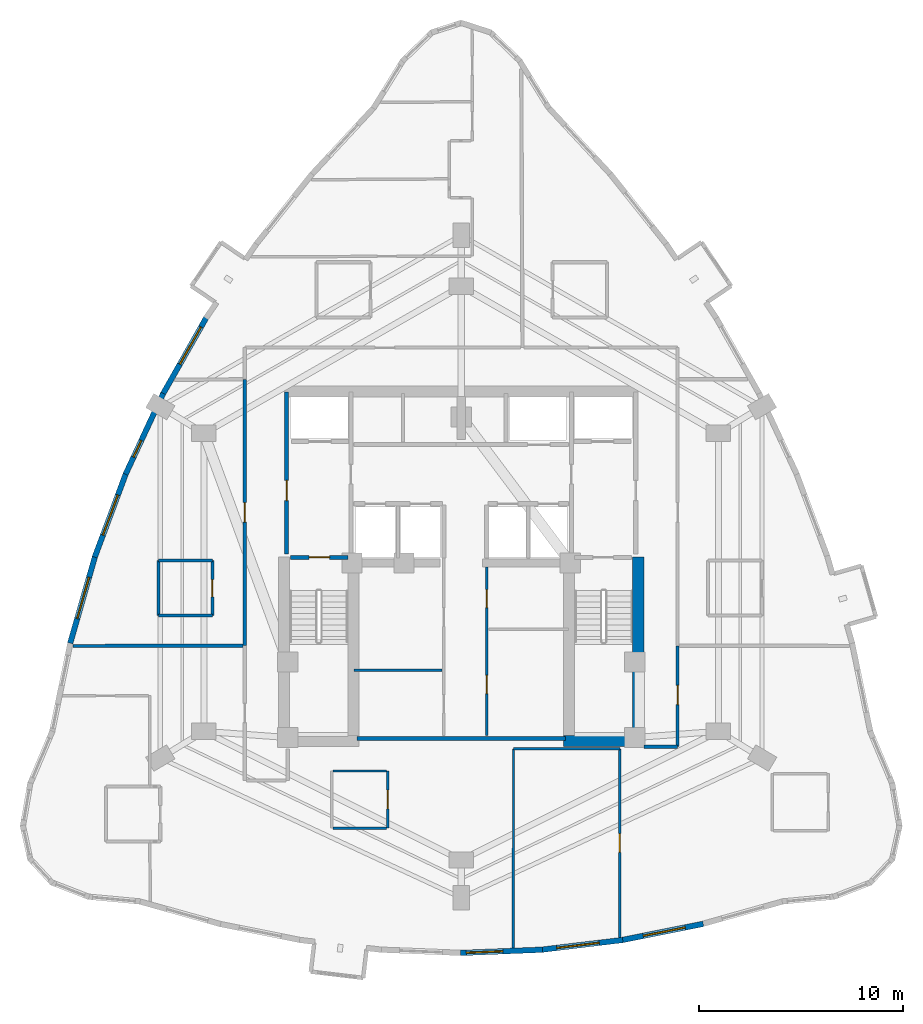
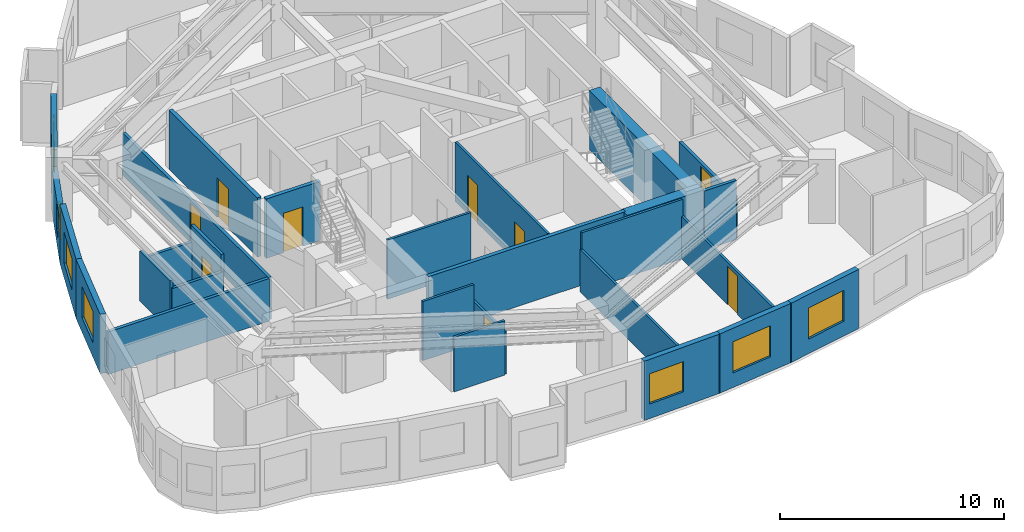
# One storey, part 6 of 11: 28 walls, 9 doors, 7 windows, 16 openings.
"""IFC4 building model written with IfcOpenShell, lengths in metres."""

from ifc_helpers import new_model, si_unit, direction, frame, frame_2d, origin, place, context, subcontext, project, spatial, rectangle, extrude, material, layer, layer_set, type_object, element, fill, save


model = new_model("IFC4")

# Units and contexts
model_context = context("Model", 3, precision=1e-05, world=origin(), true_north=direction((0.0, 1.0)))
body_context = subcontext(model_context, "Body", "Model", "MODEL_VIEW")
ifc_project = project(units=[si_unit("LENGTHUNIT", "METRE"), si_unit("AREAUNIT", "SQUARE_METRE"), si_unit("VOLUMEUNIT", "CUBIC_METRE"), si_unit("PLANEANGLEUNIT", "RADIAN"), si_unit("MASSUNIT", "GRAM", prefix="KILO")], contexts=[model_context])

# Site, building, storey
site_placement = place(None, origin())
site = spatial("IfcSite", under=ifc_project, at=site_placement, CompositionType="ELEMENT")
building_placement = place(site_placement, origin())
building = spatial("IfcBuilding", under=site, at=building_placement, Name="Miruveldt Soraemaru", CompositionType="ELEMENT")
storey_placement = place(building_placement, frame((0.0, 0.0, 149.39990234375)))
storey = spatial("IfcBuildingStorey", under=building, at=storey_placement, Name="L41", CompositionType="ELEMENT", Elevation=149.39990234375)

# Walls
ifc_material_1 = material(Name="Concrete C70/85 (70 MPa)", Category="concrete")
ifc_layer_1 = layer(ifc_material_1, 0.550048828125, Name="Concrete C70/85 (70 MPa)", Category="concrete")
ifc_layer_set_1 = layer_set([ifc_layer_1], Name="Concrete C70/85 (70 MPa)")
wall_type_1 = type_object("IfcWallType", Name="WALL-CW-550", PredefinedType="SHEAR", material=ifc_layer_set_1)
wall_1_placement = place(storey_placement, frame((49.0, 35.324951171875, 0.0), z_axis=(0.0, 0.0, 1.0), x_axis=(1.0, 0.0, 0.0)))
element("IfcWall", 1, at=wall_1_placement, inside=storey, type_object=wall_type_1, Name="L41 Central Core Shear Wall S2", PredefinedType="SHEAR", context=body_context, shape_type="SweptSolid", body=[
    extrude(rectangle(XDim=3.949951171875, YDim=0.550048828125, at=frame_2d((1.97509765625, 0.0))), origin(), (0.0, 0.0, 1.0), 3.235107421875),
])
wall_2_placement = place(storey_placement, frame((52.675048828125, 35.050048828125, 0.0), z_axis=(0.0, 0.0, 1.0), x_axis=(0.0, 1.0, 0.0)))
element("IfcWall", 2, at=wall_2_placement, inside=storey, type_object=wall_type_1, Name="L41 Central Core Shear Wall E1", PredefinedType="SHEAR", context=body_context, shape_type="SweptSolid", body=[
    extrude(rectangle(XDim=9.300048828125, YDim=0.550048828125, at=frame_2d((4.64990234375, 0.0))), origin(), (0.0, 0.0, 1.0), 3.235107421875),
])

# Wall, opening, window
ifc_material_2 = material(Name="Precast concrete C45/55 (45 MPa)", Category="concrete")
ifc_layer_2 = layer(ifc_material_2, 0.27001953125, Name="Precast concrete C45/55 (45 MPa)", Category="concrete")
ifc_layer_set_2 = layer_set([ifc_layer_2], Name="Precast concrete C45/55 (45 MPa)")
wall_type_2 = type_object("IfcWallType", Name="WALL-EXT-PC270", PredefinedType="SOLIDWALL", material=ifc_layer_set_2)
wall_3_placement = place(storey_placement, frame((31.53076171875, 56.09912109375, 0.0), z_axis=(0.0, 0.0, 1.0), x_axis=(-0.493412614859, -0.869795373348, 0.0)))
wall_3 = element("IfcWall", 3, at=wall_3_placement, inside=storey, type_object=wall_type_2, Name="L41 Precast Concrete Facade Wall 10", PredefinedType="SOLIDWALL", context=body_context, shape_type="SweptSolid", body=[
    extrude(rectangle(XDim=4.37255859375, YDim=0.27001953125, at=frame_2d((2.186279296875, 0.0))), origin(), (0.0, 0.0, 1.0), 3.235107421875),
])
opening_1_placement = place(wall_3_placement, frame((0.55908203125, 0.0, 0.800048828125)))
opening_1 = element("IfcOpeningElement", 4, at=opening_1_placement, cuts=wall_3, Name="Opening WN-1", PredefinedType="OPENING", context=body_context, shape_type="SweptSolid", body=[
    extrude(rectangle(XDim=2.10009765625, YDim=1.699951171875, at=frame_2d((1.050048828125, 0.85009765625))), frame((0.0, 0.14501953125, 0.0), z_axis=(0.0, -1.0, 0.0), x_axis=(1.0, 0.0, 0.0)), (0.0, 0.0, 1.0), 0.2900390625),
])
ifc_material_3 = material(Name="Triple low-e insulated glazing", Category="glass")
window_type_1 = type_object("IfcWindowType", Name="WIN-PUNCH-2100x1700", PartitioningType="SINGLE_PANEL", PredefinedType="WINDOW", material=ifc_material_3)
window_1_placement = place(opening_1_placement, origin())
window_1 = element("IfcWindow", 5, at=window_1_placement, inside=storey, type_object=window_type_1, Name="L41 Punched Triple-Glazed Window 10.1", OverallHeight=1.699951171875, OverallWidth=2.10009765625, PartitioningType="SINGLE_PANEL", PredefinedType="WINDOW", context=body_context, shape_type="SweptSolid", body=[
    extrude(rectangle(XDim=2.10009765625, YDim=1.699951171875, at=frame_2d((1.050048828125, 0.85009765625))), frame((0.0, 0.030029296875, 0.0), z_axis=(0.0, -1.0, 0.0), x_axis=(1.0, 0.0, 0.0)), (0.0, 0.0, 1.0), 0.06005859375),
])
fill(opening_1, window_1)

wall_4_placement = place(storey_placement, frame((29.405517578125, 52.35791015625, 0.0), z_axis=(0.0, 0.0, 1.0), x_axis=(-0.422319922238, -0.906446845259, 0.0)))
wall_4 = element("IfcWall", 6, at=wall_4_placement, inside=storey, type_object=wall_type_2, Name="L41 Precast Concrete Facade Wall 11", PredefinedType="SOLIDWALL", context=body_context, shape_type="SweptSolid", body=[
    extrude(rectangle(XDim=4.372802734375, YDim=0.27001953125, at=frame_2d((2.1865234375, 0.0))), origin(), (0.0, 0.0, 1.0), 2.322998046875),
])
opening_2_placement = place(wall_4_placement, frame((2.548095703125, 0.0, 0.6630859375)))
opening_2 = element("IfcOpeningElement", 7, at=opening_2_placement, cuts=wall_4, Name="Opening WN-7", PredefinedType="OPENING", context=body_context, shape_type="SweptSolid", body=[
    extrude(rectangle(XDim=0.89990234375, YDim=1.5, at=frame_2d((0.449951171875, 0.75))), frame((0.0, 0.14501953125, 0.0), z_axis=(0.0, -1.0, 0.0), x_axis=(1.0, 0.0, 0.0)), (0.0, 0.0, 1.0), 0.2900390625),
])
window_type_2 = type_object("IfcWindowType", Name="WIN-PUNCH-900x1500", PartitioningType="SINGLE_PANEL", PredefinedType="WINDOW", material=ifc_material_3)
window_2_placement = place(opening_2_placement, origin())
window_2 = element("IfcWindow", 8, at=window_2_placement, inside=storey, type_object=window_type_2, Name="L41 Punched Triple-Glazed Window 11.1", OverallHeight=1.5, OverallWidth=0.89990234375, PartitioningType="SINGLE_PANEL", PredefinedType="WINDOW", context=body_context, shape_type="SweptSolid", body=[
    extrude(rectangle(XDim=0.89990234375, YDim=1.5, at=frame_2d((0.449951171875, 0.75))), frame((0.0, 0.030029296875, 0.0), z_axis=(0.0, -1.0, 0.0), x_axis=(1.0, 0.0, 0.0)), (0.0, 0.0, 1.0), 0.06005859375),
])
fill(opening_2, window_2)

wall_5_placement = place(storey_placement, frame((27.585693359375, 48.458740234375, 0.0), z_axis=(0.0, 0.0, 1.0), x_axis=(-0.348994381094, -0.937124816641, 0.0)))
wall_5 = element("IfcWall", 9, at=wall_5_placement, inside=storey, type_object=wall_type_2, Name="L41 Precast Concrete Facade Wall 12", PredefinedType="SOLIDWALL", context=body_context, shape_type="SweptSolid", body=[
    extrude(rectangle(XDim=4.400146484375, YDim=0.27001953125, at=frame_2d((2.2001953125, 0.0))), origin(), (0.0, 0.0, 1.0), 3.235107421875),
])
opening_3_placement = place(wall_5_placement, frame((1.14990234375, 0.0, 0.800048828125)))
opening_3 = element("IfcOpeningElement", 10, at=opening_3_placement, cuts=wall_5, Name="Opening WN-1", PredefinedType="OPENING", context=body_context, shape_type="SweptSolid", body=[
    extrude(rectangle(XDim=2.10009765625, YDim=1.699951171875, at=frame_2d((1.050048828125, 0.85009765625))), frame((0.0, 0.14501953125, 0.0), z_axis=(0.0, -1.0, 0.0), x_axis=(1.0, 0.0, 0.0)), (0.0, 0.0, 1.0), 0.2900390625),
])
window_3_placement = place(opening_3_placement, origin())
window_3 = element("IfcWindow", 11, at=window_3_placement, inside=storey, type_object=window_type_1, Name="L41 Punched Triple-Glazed Window 12.1", OverallHeight=1.699951171875, OverallWidth=2.10009765625, PartitioningType="SINGLE_PANEL", PredefinedType="WINDOW", context=body_context, shape_type="SweptSolid", body=[
    extrude(rectangle(XDim=2.10009765625, YDim=1.699951171875, at=frame_2d((1.050048828125, 0.85009765625))), frame((0.0, 0.030029296875, 0.0), z_axis=(0.0, -1.0, 0.0), x_axis=(1.0, 0.0, 0.0)), (0.0, 0.0, 1.0), 0.06005859375),
])
fill(opening_3, window_3)

wall_6_placement = place(storey_placement, frame((26.07177734375, 44.40185546875, 0.0), z_axis=(0.0, 0.0, 1.0), x_axis=(-0.274959989366, -0.961455669414, 0.0)))
wall_6 = element("IfcWall", 12, at=wall_6_placement, inside=storey, type_object=wall_type_2, Name="L41 Precast Concrete Facade Wall 13", PredefinedType="SOLIDWALL", context=body_context, shape_type="SweptSolid", body=[
    extrude(rectangle(XDim=4.45458984375, YDim=0.27001953125, at=frame_2d((2.227294921875, 0.0))), origin(), (0.0, 0.0, 1.0), 3.235107421875),
])
opening_4_placement = place(wall_6_placement, frame((1.10302734375, 0.0, 0.800048828125)))
opening_4 = element("IfcOpeningElement", 13, at=opening_4_placement, cuts=wall_6, Name="Opening WN-1", PredefinedType="OPENING", context=body_context, shape_type="SweptSolid", body=[
    extrude(rectangle(XDim=2.10009765625, YDim=1.699951171875, at=frame_2d((1.050048828125, 0.85009765625))), frame((0.0, 0.14501953125, 0.0), z_axis=(0.0, -1.0, 0.0), x_axis=(1.0, 0.0, 0.0)), (0.0, 0.0, 1.0), 0.2900390625),
])
window_4_placement = place(opening_4_placement, origin())
window_4 = element("IfcWindow", 14, at=window_4_placement, inside=storey, type_object=window_type_1, Name="L41 Punched Triple-Glazed Window 13.1", OverallHeight=1.699951171875, OverallWidth=2.10009765625, PartitioningType="SINGLE_PANEL", PredefinedType="WINDOW", context=body_context, shape_type="SweptSolid", body=[
    extrude(rectangle(XDim=2.10009765625, YDim=1.699951171875, at=frame_2d((1.050048828125, 0.85009765625))), frame((0.0, 0.030029296875, 0.0), z_axis=(0.0, -1.0, 0.0), x_axis=(1.0, 0.0, 0.0)), (0.0, 0.0, 1.0), 0.06005859375),
])
fill(opening_4, window_4)

wall_7_placement = place(storey_placement, frame((43.965087890625, 24.9462890625, 0.0), z_axis=(0.0, 0.0, 1.0), x_axis=(0.999200861534, 0.039970467975, 0.0)))
wall_7 = element("IfcWall", 15, at=wall_7_placement, inside=storey, type_object=wall_type_2, Name="L41 Precast Concrete Facade Wall 25", PredefinedType="SOLIDWALL", context=body_context, shape_type="SweptSolid", body=[
    extrude(rectangle(XDim=4.012939453125, YDim=0.27001953125, at=frame_2d((2.00634765625, 0.0))), origin(), (0.0, 0.0, 1.0), 3.235107421875),
])
opening_5_placement = place(wall_7_placement, frame((0.281005859375, 0.0, 0.800048828125)))
opening_5 = element("IfcOpeningElement", 16, at=opening_5_placement, cuts=wall_7, Name="Opening WN-2", PredefinedType="OPENING", context=body_context, shape_type="SweptSolid", body=[
    extrude(rectangle(XDim=1.800048828125, YDim=1.64990234375, at=frame_2d((0.89990234375, 0.824951171875))), frame((0.0, 0.14501953125, 0.0), z_axis=(0.0, -1.0, 0.0), x_axis=(1.0, 0.0, 0.0)), (0.0, 0.0, 1.0), 0.2900390625),
])
window_type_3 = type_object("IfcWindowType", Name="WIN-PUNCH-1800x1650", PartitioningType="SINGLE_PANEL", PredefinedType="WINDOW", material=ifc_material_3)
window_5_placement = place(opening_5_placement, origin())
window_5 = element("IfcWindow", 17, at=window_5_placement, inside=storey, type_object=window_type_3, Name="L41 Punched Triple-Glazed Window 25.1", OverallHeight=1.64990234375, OverallWidth=1.800048828125, PartitioningType="SINGLE_PANEL", PredefinedType="WINDOW", context=body_context, shape_type="SweptSolid", body=[
    extrude(rectangle(XDim=1.800048828125, YDim=1.64990234375, at=frame_2d((0.89990234375, 0.824951171875))), frame((0.0, 0.030029296875, 0.0), z_axis=(0.0, -1.0, 0.0), x_axis=(1.0, 0.0, 0.0)), (0.0, 0.0, 1.0), 0.06005859375),
])
fill(opening_5, window_5)

wall_8_placement = place(storey_placement, frame((47.905029296875, 25.10107421875, 0.0), z_axis=(0.0, 0.0, 1.0), x_axis=(0.99287426346, 0.119166677218, 0.0)))
wall_8 = element("IfcWall", 18, at=wall_8_placement, inside=storey, type_object=wall_type_2, Name="L41 Precast Concrete Facade Wall 26", PredefinedType="SOLIDWALL", context=body_context, shape_type="SweptSolid", body=[
    extrude(rectangle(XDim=4.0380859375, YDim=0.27001953125, at=frame_2d((2.01904296875, 0.0))), origin(), (0.0, 0.0, 1.0), 3.235107421875),
])
opening_6_placement = place(wall_8_placement, frame((0.781982421875, 0.0, 0.800048828125)))
opening_6 = element("IfcOpeningElement", 19, at=opening_6_placement, cuts=wall_8, Name="Opening WN-1", PredefinedType="OPENING", context=body_context, shape_type="SweptSolid", body=[
    extrude(rectangle(XDim=2.10009765625, YDim=1.699951171875, at=frame_2d((1.050048828125, 0.85009765625))), frame((0.0, 0.14501953125, 0.0), z_axis=(0.0, -1.0, 0.0), x_axis=(1.0, 0.0, 0.0)), (0.0, 0.0, 1.0), 0.2900390625),
])
window_6_placement = place(opening_6_placement, origin())
window_6 = element("IfcWindow", 20, at=window_6_placement, inside=storey, type_object=window_type_1, Name="L41 Punched Triple-Glazed Window 26.1", OverallHeight=1.699951171875, OverallWidth=2.10009765625, PartitioningType="SINGLE_PANEL", PredefinedType="WINDOW", context=body_context, shape_type="SweptSolid", body=[
    extrude(rectangle(XDim=2.10009765625, YDim=1.699951171875, at=frame_2d((1.050048828125, 0.85009765625))), frame((0.0, 0.030029296875, 0.0), z_axis=(0.0, -1.0, 0.0), x_axis=(1.0, 0.0, 0.0)), (0.0, 0.0, 1.0), 0.06005859375),
])
fill(opening_6, window_6)

wall_9_placement = place(storey_placement, frame((51.84521484375, 25.571044921875, 0.0), z_axis=(0.0, 0.0, 1.0), x_axis=(0.980578378617, 0.196127620158, 0.0)))
wall_9 = element("IfcWall", 21, at=wall_9_placement, inside=storey, type_object=wall_type_2, Name="L41 Precast Concrete Facade Wall 27", PredefinedType="SOLIDWALL", context=body_context, shape_type="SweptSolid", body=[
    extrude(rectangle(XDim=4.087890625, YDim=0.27001953125, at=frame_2d((2.0439453125, 0.0))), origin(), (0.0, 0.0, 1.0), 3.235107421875),
])
opening_7_placement = place(wall_9_placement, frame((1.087890625, 0.0, 0.800048828125)))
opening_7 = element("IfcOpeningElement", 22, at=opening_7_placement, cuts=wall_9, Name="Opening WN-1", PredefinedType="OPENING", context=body_context, shape_type="SweptSolid", body=[
    extrude(rectangle(XDim=2.10009765625, YDim=1.699951171875, at=frame_2d((1.050048828125, 0.85009765625))), frame((0.0, 0.14501953125, 0.0), z_axis=(0.0, -1.0, 0.0), x_axis=(1.0, 0.0, 0.0)), (0.0, 0.0, 1.0), 0.2900390625),
])
window_7_placement = place(opening_7_placement, origin())
window_7 = element("IfcWindow", 23, at=window_7_placement, inside=storey, type_object=window_type_1, Name="L41 Punched Triple-Glazed Window 27.1", OverallHeight=1.699951171875, OverallWidth=2.10009765625, PartitioningType="SINGLE_PANEL", PredefinedType="WINDOW", context=body_context, shape_type="SweptSolid", body=[
    extrude(rectangle(XDim=2.10009765625, YDim=1.699951171875, at=frame_2d((1.050048828125, 0.85009765625))), frame((0.0, 0.030029296875, 0.0), z_axis=(0.0, -1.0, 0.0), x_axis=(1.0, 0.0, 0.0)), (0.0, 0.0, 1.0), 0.06005859375),
])
fill(opening_7, window_7)

# Wall, opening, door
ifc_material_4 = material(Name="Gypsum plasterboard lining", Category="gypsum")
ifc_layer_3 = layer(ifc_material_4, 0.1201171875, Name="Gypsum plasterboard lining", Category="gypsum")
ifc_layer_set_3 = layer_set([ifc_layer_3], Name="Gypsum plasterboard lining")
wall_type_3 = type_object("IfcWallType", Name="WALL-INT-P120", PredefinedType="PARTITIONING", material=ifc_layer_set_3)
wall_10_placement = place(storey_placement, frame((51.77001953125, 34.949951171875, 0.0), z_axis=(0.0, 0.0, 1.0), x_axis=(-0.000872415467, -0.999999619446, 0.0)))
wall_10 = element("IfcWall", 24, at=wall_10_placement, inside=storey, type_object=wall_type_3, Name="L41 Partition Wall 59", PredefinedType="PARTITIONING", context=body_context, shape_type="SweptSolid", body=[
    extrude(rectangle(XDim=9.23486328125, YDim=0.1201171875, at=frame_2d((4.617431640625, 0.0))), origin(), (0.0, 0.0, 1.0), 2.322998046875),
])
opening_8_placement = place(wall_10_placement, frame((4.157958984375, 0.0, 0.0)))
opening_8 = element("IfcOpeningElement", 25, at=opening_8_placement, cuts=wall_10, Name="Opening D3A", PredefinedType="OPENING", context=body_context, shape_type="SweptSolid", body=[
    extrude(rectangle(XDim=0.919921875, YDim=2.10009765625, at=frame_2d((0.4599609375, 1.050048828125))), frame((0.0, 0.070068359375, 0.0), z_axis=(0.0, -1.0, 0.0), x_axis=(1.0, 0.0, 0.0)), (0.0, 0.0, 1.0), 0.14013671875),
])
ifc_material_5 = material(Name="Anodised aluminium EN AW-6063 T6", Category="aluminium")
door_type_1 = type_object("IfcDoorType", Name="DOOR-INT-920", OperationType="NOTDEFINED", PredefinedType="DOOR", material=ifc_material_5)
door_1_placement = place(opening_8_placement, origin())
door_1 = element("IfcDoor", 26, at=door_1_placement, inside=storey, type_object=door_type_1, Name="L41 Unit 4106 BD2 Door", OperationType="SINGLE_SWING_LEFT", OverallHeight=2.10009765625, OverallWidth=0.919921875, PredefinedType="DOOR", context=body_context, shape_type="SweptSolid", body=[
    extrude(rectangle(XDim=0.919921875, YDim=2.10009765625, at=frame_2d((0.4599609375, 1.050048828125))), frame((0.0, 0.02490234375, 0.0), z_axis=(0.0, -1.0, 0.0), x_axis=(1.0, 0.0, 0.0)), (0.0, 0.0, 1.0), 0.050048828125),
])
fill(opening_8, door_1)

# Wall, openings, doors
wall_11_placement = place(storey_placement, frame((45.25, 35.60009765625, 0.0), z_axis=(0.0, 0.0, 1.0), x_axis=(0.0, 1.0, 0.0)))
wall_11 = element("IfcWall", 27, at=wall_11_placement, inside=storey, type_object=wall_type_3, Name="L41 Core Compartment Wall SP-EL", PredefinedType="PARTITIONING", context=body_context, shape_type="SweptSolid", body=[
    extrude(rectangle(XDim=8.25, YDim=0.1201171875, at=frame_2d((4.125, 0.0))), origin(), (0.0, 0.0, 1.0), 3.235107421875),
])
opening_9_placement = place(wall_11_placement, frame((2.050048828125, 0.0, 0.0)))
opening_9 = element("IfcOpeningElement", 28, at=opening_9_placement, cuts=wall_11, Name="Opening D3", PredefinedType="OPENING", context=body_context, shape_type="SweptSolid", body=[
    extrude(rectangle(XDim=0.89990234375, YDim=2.10009765625, at=frame_2d((0.449951171875, 1.050048828125))), frame((0.0, 0.070068359375, 0.0), z_axis=(0.0, -1.0, 0.0), x_axis=(1.0, 0.0, 0.0)), (0.0, 0.0, 1.0), 0.14013671875),
])
opening_10_placement = place(wall_11_placement, frame((6.260009765625, 0.0, 0.0)))
opening_10 = element("IfcOpeningElement", 29, at=opening_10_placement, cuts=wall_11, Name="Opening D4", PredefinedType="OPENING", context=body_context, shape_type="SweptSolid", body=[
    extrude(rectangle(XDim=0.8798828125, YDim=2.10009765625, at=frame_2d((0.43994140625, 1.050048828125))), frame((0.0, 0.070068359375, 0.0), z_axis=(0.0, -1.0, 0.0), x_axis=(1.0, 0.0, 0.0)), (0.0, 0.0, 1.0), 0.14013671875),
])
door_type_2 = type_object("IfcDoorType", Name="DOOR-INT-880", OperationType="NOTDEFINED", PredefinedType="DOOR", material=ifc_material_5)
door_2_placement = place(opening_10_placement, origin())
door_2 = element("IfcDoor", 30, at=door_2_placement, inside=storey, type_object=door_type_2, Name="L41 Fire Door", OperationType="SINGLE_SWING_LEFT", OverallHeight=2.10009765625, OverallWidth=0.8798828125, PredefinedType="DOOR", context=body_context, shape_type="SweptSolid", body=[
    extrude(rectangle(XDim=0.8798828125, YDim=2.10009765625, at=frame_2d((0.43994140625, 1.050048828125))), frame((0.0, 0.02490234375, 0.0), z_axis=(0.0, -1.0, 0.0), x_axis=(1.0, 0.0, 0.0)), (0.0, 0.0, 1.0), 0.050048828125),
])
fill(opening_10, door_2)
door_type_3 = type_object("IfcDoorType", Name="DOOR-INT-900", OperationType="NOTDEFINED", PredefinedType="DOOR", material=ifc_material_5)
door_3_placement = place(opening_9_placement, origin())
door_3 = element("IfcDoor", 31, at=door_3_placement, inside=storey, type_object=door_type_3, Name="L41 Fire Door", OperationType="SINGLE_SWING_LEFT", OverallHeight=2.10009765625, OverallWidth=0.89990234375, PredefinedType="DOOR", context=body_context, shape_type="SweptSolid", body=[
    extrude(rectangle(XDim=0.89990234375, YDim=2.10009765625, at=frame_2d((0.449951171875, 1.050048828125))), frame((0.0, 0.02490234375, 0.0), z_axis=(0.0, -1.0, 0.0), x_axis=(1.0, 0.0, 0.0)), (0.0, 0.0, 1.0), 0.050048828125),
])
fill(opening_9, door_3)

# Wall, opening, door
wall_12_placement = place(storey_placement, frame((40.408935546875, 31.06005859375, 0.0), z_axis=(0.0, 0.0, 1.0), x_axis=(0.0, 1.0, 0.0)))
wall_12 = element("IfcWall", 32, at=wall_12_placement, inside=storey, type_object=wall_type_3, Name="L41 Partition Wall 45", PredefinedType="PARTITIONING", context=body_context, shape_type="SweptSolid", body=[
    extrude(rectangle(XDim=2.800048828125, YDim=0.1201171875, at=frame_2d((1.39990234375, 0.0))), origin(), (0.0, 0.0, 1.0), 2.322998046875),
])
opening_11_placement = place(wall_12_placement, frame((0.93994140625, 0.0, 0.0)))
opening_11 = element("IfcOpeningElement", 33, at=opening_11_placement, cuts=wall_12, Name="Opening D3A", PredefinedType="OPENING", context=body_context, shape_type="SweptSolid", body=[
    extrude(rectangle(XDim=0.919921875, YDim=2.10009765625, at=frame_2d((0.4599609375, 1.050048828125))), frame((0.0, 0.070068359375, 0.0), z_axis=(0.0, -1.0, 0.0), x_axis=(1.0, 0.0, 0.0)), (0.0, 0.0, 1.0), 0.14013671875),
])
door_4_placement = place(opening_11_placement, origin())
door_4 = element("IfcDoor", 34, at=door_4_placement, inside=storey, type_object=door_type_1, Name="L41 Unit 4105 KIT Door", OperationType="SINGLE_SWING_LEFT", OverallHeight=2.10009765625, OverallWidth=0.919921875, PredefinedType="DOOR", context=body_context, shape_type="SweptSolid", body=[
    extrude(rectangle(XDim=0.919921875, YDim=2.10009765625, at=frame_2d((0.4599609375, 1.050048828125))), frame((0.0, 0.02490234375, 0.0), z_axis=(0.0, -1.0, 0.0), x_axis=(1.0, 0.0, 0.0)), (0.0, 0.0, 1.0), 0.050048828125),
])
fill(opening_11, door_4)

# Walls
wall_13_placement = place(storey_placement, frame((46.55908203125, 25.199951171875, 0.0), z_axis=(0.0, 0.0, 1.0), x_axis=(0.000300480756, 0.999999954856, 0.0)))
element("IfcWall", 35, at=wall_13_placement, inside=storey, type_object=wall_type_3, Name="L41 Partition Wall 61", PredefinedType="PARTITIONING", context=body_context, shape_type="SweptSolid", body=[
    extrude(rectangle(XDim=9.75, YDim=0.1201171875, at=frame_2d((4.875, 0.0))), origin(), (0.0, 0.0, 1.0), 2.322998046875),
])
wall_14_placement = place(storey_placement, frame((46.56201171875, 34.949951171875, 0.0), z_axis=(0.0, 0.0, 1.0), x_axis=(1.0, 0.0, 0.0)))
element("IfcWall", 36, at=wall_14_placement, inside=storey, type_object=wall_type_3, Name="L41 Partition Wall 62", PredefinedType="PARTITIONING", context=body_context, shape_type="SweptSolid", body=[
    extrude(rectangle(XDim=5.2080078125, YDim=0.1201171875, at=frame_2d((2.60400390625, 0.0))), origin(), (0.0, 0.0, 1.0), 3.235107421875),
])
wall_15_placement = place(storey_placement, frame((38.75, 38.800048828125, 0.0), z_axis=(0.0, 0.0, 1.0), x_axis=(1.0, 0.0, 0.0)))
element("IfcWall", 37, at=wall_15_placement, inside=storey, type_object=wall_type_3, Name="L41 Core Compartment Wall RL-W2H", PredefinedType="PARTITIONING", context=body_context, shape_type="SweptSolid", body=[
    extrude(rectangle(XDim=4.300048828125, YDim=0.1201171875, at=frame_2d((2.14990234375, 0.0))), origin(), (0.0, 0.0, 1.0), 3.235107421875),
])
wall_16_placement = place(storey_placement, frame((40.34912109375, 33.860107421875, 0.0), z_axis=(0.0, 0.0, 1.0), x_axis=(-1.0, 0.0, 0.0)))
element("IfcWall", 38, at=wall_16_placement, inside=storey, type_object=wall_type_3, Name="L41 Partition Wall 46", PredefinedType="PARTITIONING", context=body_context, shape_type="SweptSolid", body=[
    extrude(rectangle(XDim=2.630126953125, YDim=0.1201171875, at=frame_2d((1.31494140625, 0.0))), origin(), (0.0, 0.0, 1.0), 3.235107421875),
])
wall_17_placement = place(storey_placement, frame((37.718994140625, 31.06005859375, 0.0), z_axis=(0.0, 0.0, 1.0), x_axis=(1.0, 0.0, 0.0)))
element("IfcWall", 39, at=wall_17_placement, inside=storey, type_object=wall_type_3, Name="L41 Partition Wall 48", PredefinedType="PARTITIONING", context=body_context, shape_type="SweptSolid", body=[
    extrude(rectangle(XDim=2.630126953125, YDim=0.1201171875, at=frame_2d((1.31494140625, 0.0))), origin(), (0.0, 0.0, 1.0), 2.97314453125),
])

# Wall, opening, door
ifc_layer_4 = layer(ifc_material_4, 0.14990234375, Name="Gypsum plasterboard lining", Category="gypsum")
ifc_layer_set_4 = layer_set([ifc_layer_4], Name="Gypsum plasterboard lining")
wall_type_4 = type_object("IfcWallType", Name="WALL-INT-PLUMB", PredefinedType="PLUMBINGWALL", material=ifc_layer_set_4)
wall_18_placement = place(storey_placement, frame((31.81396484375, 41.47998046875, 0.0), z_axis=(0.0, 0.0, 1.0), x_axis=(0.0, 1.0, 0.0)))
wall_18 = element("IfcWall", 40, at=wall_18_placement, inside=storey, type_object=wall_type_4, Name="L41 Partition Wall 32", PredefinedType="PLUMBINGWALL", context=body_context, shape_type="SweptSolid", body=[
    extrude(rectangle(XDim=2.699951171875, YDim=0.14990234375, at=frame_2d((1.35009765625, 0.0))), origin(), (0.0, 0.0, 1.0), 3.235107421875),
])
opening_12_placement = place(wall_18_placement, frame((0.909912109375, 0.0, 0.0)))
opening_12 = element("IfcOpeningElement", 41, at=opening_12_placement, cuts=wall_18, Name="Opening FD3", PredefinedType="OPENING", context=body_context, shape_type="SweptSolid", body=[
    extrude(rectangle(XDim=0.85009765625, YDim=2.10009765625, at=frame_2d((0.425048828125, 1.050048828125))), frame((0.0, 0.0849609375, 0.0), z_axis=(0.0, -1.0, 0.0), x_axis=(1.0, 0.0, 0.0)), (0.0, 0.0, 1.0), 0.169921875),
])
door_type_4 = type_object("IfcDoorType", Name="DOOR-FD3-850", OperationType="NOTDEFINED", PredefinedType="DOOR", material=ifc_material_5)
door_5_placement = place(opening_12_placement, origin())
door_5 = element("IfcDoor", 42, at=door_5_placement, inside=storey, type_object=door_type_4, Name="L41 Unit CL03 BTH Door", OperationType="SINGLE_SWING_RIGHT", OverallHeight=2.10009765625, OverallWidth=0.85009765625, PredefinedType="DOOR", context=body_context, shape_type="SweptSolid", body=[
    extrude(rectangle(XDim=0.85009765625, YDim=2.10009765625, at=frame_2d((0.425048828125, 1.050048828125))), frame((0.0, 0.02490234375, 0.0), z_axis=(0.0, -1.0, 0.0), x_axis=(1.0, 0.0, 0.0)), (0.0, 0.0, 1.0), 0.050048828125),
])
fill(opening_12, door_5)

# Walls
wall_19_placement = place(storey_placement, frame((29.1640625, 44.179931640625, 0.0), z_axis=(0.0, 0.0, 1.0), x_axis=(0.0, -1.0, 0.0)))
element("IfcWall", 43, at=wall_19_placement, inside=storey, type_object=wall_type_4, Name="L41 Partition Wall 34", PredefinedType="PLUMBINGWALL", context=body_context, shape_type="SweptSolid", body=[
    extrude(rectangle(XDim=2.699951171875, YDim=0.14990234375, at=frame_2d((1.35009765625, 0.0))), origin(), (0.0, 0.0, 1.0), 2.72314453125),
])
for number, where, z_axis, x_axis, name in (
    (44, (31.81396484375, 44.179931640625, 0.0), (0.0, 0.0, 1.0), (-1.0, 0.0, 0.0), "L41 Partition Wall 33"),
    (45, (29.1640625, 41.47998046875, 0.0), (0.0, 0.0, 1.0), (1.0, 0.0, 0.0), "L41 Partition Wall 35"),
):
    element("IfcWall", number, at=place(storey_placement, frame(where, z_axis=z_axis, x_axis=x_axis)), inside=storey, type_object=wall_type_4, Name=name, PredefinedType="PLUMBINGWALL", context=body_context, shape_type="SweptSolid", body=[
        extrude(rectangle(XDim=2.64990234375, YDim=0.14990234375, at=frame_2d((1.324951171875, 0.0))), origin(), (0.0, 0.0, 1.0), 2.322998046875),
    ])

# Wall, opening, door
ifc_material_6 = material(Name="Concrete C40/50 (40 MPa)", Category="concrete")
ifc_layer_5 = layer(ifc_material_6, 0.159912109375, Name="Concrete C40/50 (40 MPa)", Category="concrete")
ifc_layer_set_5 = layer_set([ifc_layer_5], Name="Concrete C40/50 (40 MPa)")
wall_type_5 = type_object("IfcWallType", Name="WALL-INT-RC160", PredefinedType="SOLIDWALL", material=ifc_layer_set_5)
wall_20_placement = place(storey_placement, frame((33.39990234375, 53.047119140625, 0.0), z_axis=(0.0, 0.0, 1.0), x_axis=(0.0, -1.0, 0.0)))
wall_20 = element("IfcWall", 46, at=wall_20_placement, inside=storey, type_object=wall_type_5, Name="L41 Partition Wall 5", PredefinedType="SOLIDWALL", context=body_context, shape_type="SweptSolid", body=[
    extrude(rectangle(XDim=13.044189453125, YDim=0.159912109375, at=frame_2d((6.52197265625, 0.0))), origin(), (0.0, 0.0, 1.0), 2.322998046875),
])
opening_13_placement = place(wall_20_placement, frame((6.047119140625, 0.0, 0.0)))
opening_13 = element("IfcOpeningElement", 47, at=opening_13_placement, cuts=wall_20, Name="Opening FD2", PredefinedType="OPENING", context=body_context, shape_type="SweptSolid", body=[
    extrude(rectangle(XDim=0.949951171875, YDim=2.14990234375, at=frame_2d((0.47509765625, 1.074951171875))), frame((0.0, 0.08984375, 0.0), z_axis=(0.0, -1.0, 0.0), x_axis=(1.0, 0.0, 0.0)), (0.0, 0.0, 1.0), 0.179931640625),
])
door_type_5 = type_object("IfcDoorType", Name="DOOR-FD2-950", OperationType="NOTDEFINED", PredefinedType="DOOR", material=ifc_material_5)
door_6_placement = place(opening_13_placement, origin())
door_6 = element("IfcDoor", 48, at=door_6_placement, inside=storey, type_object=door_type_5, Name="L41 Unit CL03 Entrance Fire Door", OperationType="SINGLE_SWING_LEFT", OverallHeight=2.14990234375, OverallWidth=0.949951171875, PredefinedType="DOOR", context=body_context, shape_type="SweptSolid", body=[
    extrude(rectangle(XDim=0.949951171875, YDim=2.14990234375, at=frame_2d((0.47509765625, 1.074951171875))), frame((0.0, 0.02490234375, 0.0), z_axis=(0.0, -1.0, 0.0), x_axis=(1.0, 0.0, 0.0)), (0.0, 0.0, 1.0), 0.050048828125),
])
fill(opening_13, door_6)

wall_21_placement = place(storey_placement, frame((54.60009765625, 35.050048828125, 0.0), z_axis=(0.0, 0.0, 1.0), x_axis=(0.0, 1.0, 0.0)))
wall_21 = element("IfcWall", 49, at=wall_21_placement, inside=storey, type_object=wall_type_5, Name="L41 Partition Wall 11", PredefinedType="SOLIDWALL", context=body_context, shape_type="SweptSolid", body=[
    extrude(rectangle(XDim=4.94384765625, YDim=0.159912109375, at=frame_2d((2.471923828125, 0.0))), origin(), (0.0, 0.0, 1.0), 2.322998046875),
])
opening_14_placement = place(wall_21_placement, frame((2.05810546875, 0.0, 0.0)))
opening_14 = element("IfcOpeningElement", 50, at=opening_14_placement, cuts=wall_21, Name="Opening FD2", PredefinedType="OPENING", context=body_context, shape_type="SweptSolid", body=[
    extrude(rectangle(XDim=0.949951171875, YDim=2.14990234375, at=frame_2d((0.47509765625, 1.074951171875))), frame((0.0, 0.08984375, 0.0), z_axis=(0.0, -1.0, 0.0), x_axis=(1.0, 0.0, 0.0)), (0.0, 0.0, 1.0), 0.179931640625),
])
door_7_placement = place(opening_14_placement, origin())
door_7 = element("IfcDoor", 51, at=door_7_placement, inside=storey, type_object=door_type_5, Name="L41 Unit 4106 Entrance Fire Door", OperationType="SINGLE_SWING_LEFT", OverallHeight=2.14990234375, OverallWidth=0.949951171875, PredefinedType="DOOR", context=body_context, shape_type="SweptSolid", body=[
    extrude(rectangle(XDim=0.949951171875, YDim=2.14990234375, at=frame_2d((0.47509765625, 1.074951171875))), frame((0.0, 0.02490234375, 0.0), z_axis=(0.0, -1.0, 0.0), x_axis=(1.0, 0.0, 0.0)), (0.0, 0.0, 1.0), 0.050048828125),
])
fill(opening_14, door_7)

# Walls
wall_22_placement = place(storey_placement, frame((24.97509765625, 39.986083984375, 0.0), z_axis=(0.0, 0.0, 1.0), x_axis=(0.99999860957, 0.001667590789, 0.0)))
element("IfcWall", 52, at=wall_22_placement, inside=storey, type_object=wall_type_5, Name="L41 Partition Wall 36", PredefinedType="SOLIDWALL", context=body_context, shape_type="SweptSolid", body=[
    extrude(rectangle(XDim=8.344970703125, YDim=0.159912109375, at=frame_2d((4.17236328125, 0.0))), origin(), (0.0, 0.0, 1.0), 2.322998046875),
])
wall_23_placement = place(storey_placement, frame((52.946044921875, 35.050048828125, 0.0), z_axis=(0.0, 0.0, 1.0), x_axis=(1.0, 0.0, 0.0)))
element("IfcWall", 53, at=wall_23_placement, inside=storey, type_object=wall_type_5, Name="L41 Partition Wall 10", PredefinedType="SOLIDWALL", context=body_context, shape_type="SweptSolid", body=[
    extrude(rectangle(XDim=1.654052734375, YDim=0.159912109375, at=frame_2d((0.8271484375, 0.0))), origin(), (0.0, 0.0, 1.0), 3.235107421875),
])

# Wall, opening, door
ifc_layer_6 = layer(ifc_material_6, 0.199951171875, Name="Concrete C40/50 (40 MPa)", Category="concrete")
ifc_layer_set_6 = layer_set([ifc_layer_6], Name="Concrete C40/50 (40 MPa)")
wall_type_6 = type_object("IfcWallType", Name="WALL-INT-RC200", PredefinedType="SOLIDWALL", material=ifc_layer_set_6)
wall_24_placement = place(storey_placement, frame((35.449951171875, 44.5, 0.0), z_axis=(0.0, 0.0, 1.0), x_axis=(0.0, 1.0, 0.0)))
wall_24 = element("IfcWall", 54, at=wall_24_placement, inside=storey, type_object=wall_type_6, Name="L41 Core Compartment Wall FFW-OUT", PredefinedType="SOLIDWALL", context=body_context, shape_type="SweptSolid", body=[
    extrude(rectangle(XDim=7.919921875, YDim=0.199951171875, at=frame_2d((3.9599609375, 0.0))), origin(), (0.0, 0.0, 1.0), 3.235107421875),
])
opening_15_placement = place(wall_24_placement, frame((2.60009765625, 0.0, 0.0)))
opening_15 = element("IfcOpeningElement", 55, at=opening_15_placement, cuts=wall_24, Name="Opening FD1", PredefinedType="OPENING", context=body_context, shape_type="SweptSolid", body=[
    extrude(rectangle(XDim=1.0, YDim=2.14990234375, at=frame_2d((0.5, 1.074951171875))), frame((0.0, 0.10986328125, 0.0), z_axis=(0.0, -1.0, 0.0), x_axis=(1.0, 0.0, 0.0)), (0.0, 0.0, 1.0), 0.219970703125),
])
door_type_6 = type_object("IfcDoorType", Name="DOOR-FD1-1000", OperationType="NOTDEFINED", PredefinedType="DOOR", material=ifc_material_5)
door_8_placement = place(opening_15_placement, origin())
door_8 = element("IfcDoor", 56, at=door_8_placement, inside=storey, type_object=door_type_6, Name="L41 West Firefighting Lobby Exit Door", OperationType="SINGLE_SWING_LEFT", OverallHeight=2.14990234375, OverallWidth=1.0, PredefinedType="DOOR", context=body_context, shape_type="SweptSolid", body=[
    extrude(rectangle(XDim=1.0, YDim=2.14990234375, at=frame_2d((0.5, 1.074951171875))), frame((0.0, 0.02490234375, 0.0), z_axis=(0.0, -1.0, 0.0), x_axis=(1.0, 0.0, 0.0)), (0.0, 0.0, 1.0), 0.050048828125),
])
fill(opening_15, door_8)

wall_25_placement = place(storey_placement, frame((35.64990234375, 44.320068359375, 0.0), z_axis=(0.0, 0.0, 1.0), x_axis=(1.0, 0.0, 0.0)))
wall_25 = element("IfcWall", 57, at=wall_25_placement, inside=storey, type_object=wall_type_6, Name="L41 Core Compartment Wall ST1-N", PredefinedType="SOLIDWALL", context=body_context, shape_type="SweptSolid", body=[
    extrude(rectangle(XDim=2.800048828125, YDim=0.199951171875, at=frame_2d((1.39990234375, 0.0))), origin(), (0.0, 0.0, 1.0), 3.235107421875),
])
opening_16_placement = place(wall_25_placement, frame((0.89990234375, 0.0, 0.0)))
opening_16 = element("IfcOpeningElement", 58, at=opening_16_placement, cuts=wall_25, Name="Opening FD1", PredefinedType="OPENING", context=body_context, shape_type="SweptSolid", body=[
    extrude(rectangle(XDim=1.0, YDim=2.14990234375, at=frame_2d((0.5, 1.074951171875))), frame((0.0, 0.10986328125, 0.0), z_axis=(0.0, -1.0, 0.0), x_axis=(1.0, 0.0, 0.0)), (0.0, 0.0, 1.0), 0.219970703125),
])
door_9_placement = place(opening_16_placement, frame((1.0, 0.0, 0.0), z_axis=(0.0, 0.0, 1.0), x_axis=(-1.0, 0.0, 0.0)))
door_9 = element("IfcDoor", 59, at=door_9_placement, inside=storey, type_object=door_type_6, Name="L41 Stair ST-1 Fire Door", OperationType="SINGLE_SWING_LEFT", OverallHeight=2.14990234375, OverallWidth=1.0, PredefinedType="DOOR", context=body_context, shape_type="SweptSolid", body=[
    extrude(rectangle(XDim=1.0, YDim=2.14990234375, at=frame_2d((0.5, 1.074951171875))), frame((0.0, 0.02490234375, 0.0), z_axis=(0.0, -1.0, 0.0), x_axis=(1.0, 0.0, 0.0)), (0.0, 0.0, 1.0), 0.050048828125),
])
fill(opening_16, door_9)

# Wall
wall_26_placement = place(storey_placement, frame((38.89990234375, 35.449951171875, 0.0), z_axis=(0.0, 0.0, 1.0), x_axis=(1.0, 0.0, 0.0)))
element("IfcWall", 60, at=wall_26_placement, inside=storey, type_object=wall_type_6, Name="L41 Core Compartment Wall CS-S", PredefinedType="SOLIDWALL", context=body_context, shape_type="SweptSolid", body=[
    extrude(rectangle(XDim=10.2001953125, YDim=0.199951171875, at=frame_2d((5.10009765625, 0.0))), origin(), (0.0, 0.0, 1.0), 3.235107421875),
])

save(model, "model.ifc")
